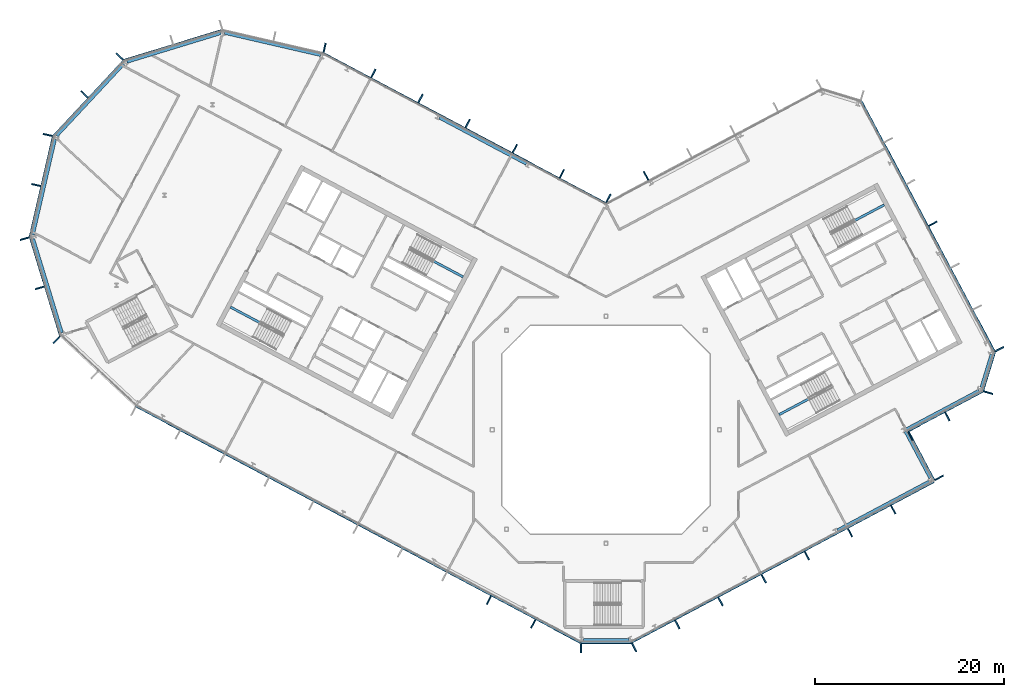
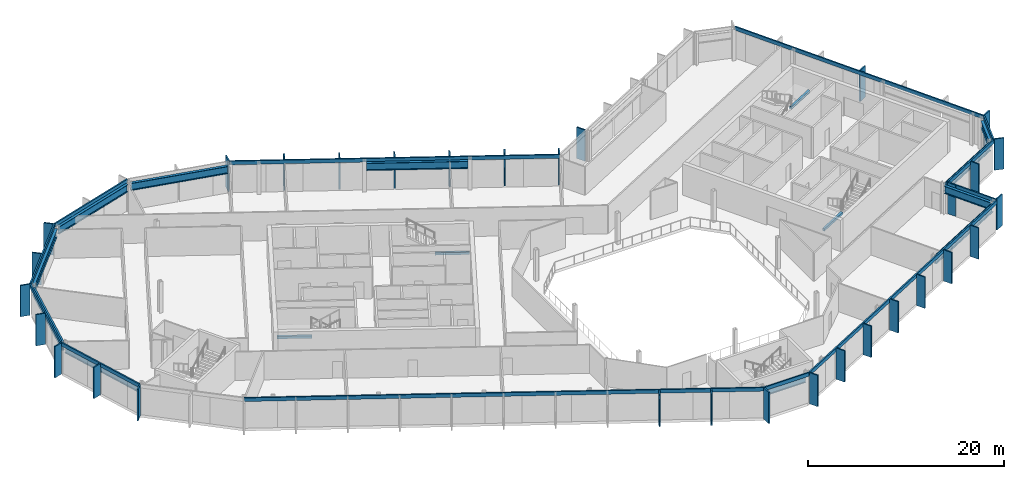
# One storey, part 9 of 25: 43 members, 15 beams, 15 elements without a shape of their own.
"""IFC4 building model written with IfcOpenShell, lengths in metres."""

from ifc_helpers import new_model, si_unit, direction, frame, origin, origin_2d, place, context, subcontext, project, spatial, rectangle, i_section, extrude, material, layer, layer_set, material_profile, profile_set, type_object, element, aggregate, save


model = new_model("IFC4")

# Units and contexts
model_context = context("Model", 3, precision=1e-05, world=origin(), true_north=direction((0.0, 1.0)))
body_context = subcontext(model_context, "Body", "Model", "MODEL_VIEW")
ifc_project = project(units=[si_unit("LENGTHUNIT", "METRE"), si_unit("AREAUNIT", "SQUARE_METRE"), si_unit("VOLUMEUNIT", "CUBIC_METRE"), si_unit("PLANEANGLEUNIT", "RADIAN"), si_unit("MASSUNIT", "GRAM", prefix="KILO")], contexts=[model_context])

# Site, building, storey
site_placement = place(None, origin())
site = spatial("IfcSite", under=ifc_project, at=site_placement, CompositionType="ELEMENT")
building_placement = place(site_placement, origin())
building = spatial("IfcBuilding", under=site, at=building_placement, Name="Cormorant Relay Tower", CompositionType="ELEMENT")
storey_placement = place(building_placement, frame((0.0, 0.0, 265.800048828125)))
storey = spatial("IfcBuildingStorey", under=building, at=storey_placement, Name="L59", CompositionType="ELEMENT", Elevation=265.800048828125)

# Curtain wall, member
ifc_material_1 = material(Name="Aluminium 6063-T6 anodised bronze", Category="aluminium")
ifc_layer = layer(ifc_material_1, 0.199951171875)
ifc_layer_set = layer_set([ifc_layer], Name="CW1 unitised bronze curtain wall with vertical fins")
curtain_wall_type = type_object("IfcCurtainWallType", Name="CW1 unitised bronze curtain wall with vertical fins", PredefinedType="NOTDEFINED", material=ifc_layer_set)
curtain_wall_1_placement = place(storey_placement, origin())
curtain_wall_1 = element("IfcCurtainWall", 1, at=curtain_wall_1_placement, inside=storey, type_object=curtain_wall_type, Name="CW1 curtain wall 1", PredefinedType="NOTDEFINED")
ifc_material_2 = material(Name="Aluminium 6063-T6 anodised bronze", Category="aluminium")
ifc_material_profile_1 = material_profile(ifc_material_2, rectangle(XDim=0.14990234375, YDim=1.0, at=origin_2d()), Name="AL 150x1000")
ifc_profile_set_1 = profile_set([ifc_material_profile_1], Name="Aluminium 6063-T6 anodised bronze")
member_type_1 = type_object("IfcMemberType", Name="CW1 bronze fin mullion 150 x 1000", PredefinedType="MULLION", material=ifc_profile_set_1)
member_1_placement = place(storey_placement, frame((-2.648681640625, -23.07568359375, 0.0), z_axis=(0.0, 0.0, 1.0), x_axis=(1.0, 0.0, 0.0)))
member_1 = element("IfcMember", 2, at=member_1_placement, type_object=member_type_1, Name="CW1 fin 1.1", PredefinedType="MULLION", context=body_context, shape_type="SweptSolid", body=[
    extrude(rectangle(XDim=0.14990234375, YDim=1.0, at=origin_2d()), origin(), (0.0, 0.0, 1.0), 3.89990234375),
])

# Curtain wall, members
curtain_wall_2_placement = place(storey_placement, origin())
curtain_wall_2 = element("IfcCurtainWall", 3, at=curtain_wall_2_placement, inside=storey, type_object=curtain_wall_type, Name="CW1 curtain wall 2", PredefinedType="NOTDEFINED")
member_2_placement = place(storey_placement, frame((2.9775390625, -22.99365234375, 0.0), z_axis=(0.0, 0.0, 1.0), x_axis=(0.882947592859, 0.469471562786, 0.0)))
member_2 = element("IfcMember", 4, at=member_2_placement, type_object=member_type_1, Name="CW1 fin 2.1", PredefinedType="MULLION", context=body_context, shape_type="SweptSolid", body=[
    extrude(rectangle(XDim=0.14990234375, YDim=1.0, at=origin_2d()), origin(), (0.0, 0.0, 1.0), 3.89990234375),
])
member_3_placement = place(storey_placement, frame((7.539306640625, -20.568115234375, 0.0), z_axis=(0.0, 0.0, 1.0), x_axis=(0.882947592859, 0.469471562786, 0.0)))
member_3 = element("IfcMember", 5, at=member_3_placement, type_object=member_type_1, Name="CW1 fin 2.2", PredefinedType="MULLION", context=body_context, shape_type="SweptSolid", body=[
    extrude(rectangle(XDim=0.14990234375, YDim=1.0, at=origin_2d()), origin(), (0.0, 0.0, 1.0), 3.89990234375),
])
member_4_placement = place(storey_placement, frame((12.10107421875, -18.142578125, 0.0), z_axis=(0.0, 0.0, 1.0), x_axis=(0.882947592859, 0.469471562786, 0.0)))
member_4 = element("IfcMember", 6, at=member_4_placement, type_object=member_type_1, Name="CW1 fin 2.3", PredefinedType="MULLION", context=body_context, shape_type="SweptSolid", body=[
    extrude(rectangle(XDim=0.14990234375, YDim=1.0, at=origin_2d()), origin(), (0.0, 0.0, 1.0), 3.89990234375),
])
member_5_placement = place(storey_placement, frame((16.662841796875, -15.717041015625, 0.0), z_axis=(0.0, 0.0, 1.0), x_axis=(0.882947592859, 0.469471562786, 0.0)))
member_5 = element("IfcMember", 7, at=member_5_placement, type_object=member_type_1, Name="CW1 fin 2.4", PredefinedType="MULLION", context=body_context, shape_type="SweptSolid", body=[
    extrude(rectangle(XDim=0.14990234375, YDim=1.0, at=origin_2d()), origin(), (0.0, 0.0, 1.0), 3.89990234375),
])
member_6_placement = place(storey_placement, frame((21.224609375, -13.29150390625, 0.0), z_axis=(0.0, 0.0, 1.0), x_axis=(0.882947592859, 0.469471562786, 0.0)))
member_6 = element("IfcMember", 8, at=member_6_placement, type_object=member_type_1, Name="CW1 fin 2.5", PredefinedType="MULLION", context=body_context, shape_type="SweptSolid", body=[
    extrude(rectangle(XDim=0.14990234375, YDim=1.0, at=origin_2d()), origin(), (0.0, 0.0, 1.0), 3.89990234375),
])
member_7_placement = place(storey_placement, frame((25.78662109375, -10.865966796875, 0.0), z_axis=(0.0, 0.0, 1.0), x_axis=(0.882947592859, 0.469471562786, 0.0)))
member_7 = element("IfcMember", 9, at=member_7_placement, type_object=member_type_1, Name="CW1 fin 2.6", PredefinedType="MULLION", context=body_context, shape_type="SweptSolid", body=[
    extrude(rectangle(XDim=0.14990234375, YDim=1.0, at=origin_2d()), origin(), (0.0, 0.0, 1.0), 3.89990234375),
])
member_8_placement = place(storey_placement, frame((30.348388671875, -8.440185546875, 0.0), z_axis=(0.0, 0.0, 1.0), x_axis=(0.882947592859, 0.469471562786, 0.0)))
member_8 = element("IfcMember", 10, at=member_8_placement, type_object=member_type_1, Name="CW1 fin 2.7", PredefinedType="MULLION", context=body_context, shape_type="SweptSolid", body=[
    extrude(rectangle(XDim=0.14990234375, YDim=1.0, at=origin_2d()), origin(), (0.0, 0.0, 1.0), 3.89990234375),
])

# Curtain wall, member
curtain_wall_3_placement = place(storey_placement, origin())
curtain_wall_3 = element("IfcCurtainWall", 11, at=curtain_wall_3_placement, inside=storey, type_object=curtain_wall_type, Name="CW1 curtain wall 3", PredefinedType="NOTDEFINED")
member_9_placement = place(storey_placement, frame((35.199462890625, -5.068115234375, 0.0), z_axis=(0.0, 0.0, 1.0), x_axis=(-0.469471562786, 0.882947592859, 0.0)))
member_9 = element("IfcMember", 12, at=member_9_placement, type_object=member_type_1, Name="CW1 fin 3.1", PredefinedType="MULLION", context=body_context, shape_type="SweptSolid", body=[
    extrude(rectangle(XDim=0.14990234375, YDim=1.0, at=origin_2d()), origin(), (0.0, 0.0, 1.0), 3.89990234375),
])

# Curtain wall, members
curtain_wall_4_placement = place(storey_placement, origin())
curtain_wall_4 = element("IfcCurtainWall", 13, at=curtain_wall_4_placement, inside=storey, type_object=curtain_wall_type, Name="CW1 curtain wall 4", PredefinedType="NOTDEFINED")
member_10_placement = place(storey_placement, frame((32.159423828125, -0.681884765625, 0.0), z_axis=(0.0, 0.0, 1.0), x_axis=(0.882947592859, 0.469471562786, 0.0)))
member_10 = element("IfcMember", 14, at=member_10_placement, type_object=member_type_1, Name="CW1 fin 4.1", PredefinedType="MULLION", context=body_context, shape_type="SweptSolid", body=[
    extrude(rectangle(XDim=0.14990234375, YDim=1.0, at=origin_2d()), origin(), (0.0, 0.0, 1.0), 3.89990234375),
])
member_11_placement = place(storey_placement, frame((36.06640625, 1.3955078125, 0.0), z_axis=(0.0, 0.0, 1.0), x_axis=(0.882947592859, 0.469471562786, 0.0)))
member_11 = element("IfcMember", 15, at=member_11_placement, type_object=member_type_1, Name="CW1 fin 4.2", PredefinedType="MULLION", context=body_context, shape_type="SweptSolid", body=[
    extrude(rectangle(XDim=0.14990234375, YDim=1.0, at=origin_2d()), origin(), (0.0, 0.0, 1.0), 3.89990234375),
])

# Curtain wall, member
curtain_wall_5_placement = place(storey_placement, origin())
curtain_wall_5 = element("IfcCurtainWall", 16, at=curtain_wall_5_placement, inside=storey, type_object=curtain_wall_type, Name="CW1 curtain wall 5", PredefinedType="NOTDEFINED")
member_12_placement = place(storey_placement, frame((40.380615234375, 3.921630859375, 0.0), z_axis=(0.0, 0.0, 1.0), x_axis=(0.292371704723, 0.956304755963, 0.0)))
member_12 = element("IfcMember", 17, at=member_12_placement, type_object=member_type_1, Name="CW1 fin 5.1", PredefinedType="MULLION", context=body_context, shape_type="SweptSolid", body=[
    extrude(rectangle(XDim=0.14990234375, YDim=1.0, at=origin_2d()), origin(), (0.0, 0.0, 1.0), 3.89990234375),
])

# Curtain wall, members
curtain_wall_6_placement = place(storey_placement, origin())
curtain_wall_6 = element("IfcCurtainWall", 18, at=curtain_wall_6_placement, inside=storey, type_object=curtain_wall_type, Name="CW1 curtain wall 6", PredefinedType="NOTDEFINED")
member_13_placement = place(storey_placement, frame((41.569580078125, 8.51220703125, 0.0), z_axis=(0.0, 0.0, 1.0), x_axis=(-0.469471562786, 0.882947592859, 0.0)))
member_13 = element("IfcMember", 19, at=member_13_placement, type_object=member_type_1, Name="CW1 fin 6.1", PredefinedType="MULLION", context=body_context, shape_type="SweptSolid", body=[
    extrude(rectangle(XDim=0.14990234375, YDim=1.0, at=origin_2d()), origin(), (0.0, 0.0, 1.0), 3.89990234375),
])
member_14_placement = place(storey_placement, frame((34.527587890625, 21.75634765625, 0.0), z_axis=(0.0, 0.0, 1.0), x_axis=(-0.469471562786, 0.882947592859, 0.0)))
member_14 = element("IfcMember", 20, at=member_14_placement, type_object=member_type_1, Name="CW1 fin 6.4", PredefinedType="MULLION", context=body_context, shape_type="SweptSolid", body=[
    extrude(rectangle(XDim=0.14990234375, YDim=1.0, at=origin_2d()), origin(), (0.0, 0.0, 1.0), 3.89990234375),
])

# Curtain wall, member
curtain_wall_7_placement = place(storey_placement, origin())
curtain_wall_7 = element("IfcCurtainWall", 21, at=curtain_wall_7_placement, inside=storey, type_object=curtain_wall_type, Name="CW1 curtain wall 8", PredefinedType="NOTDEFINED")
member_15_placement = place(storey_placement, frame((4.2333984375, 26.82763671875, 0.0), z_axis=(0.0, 0.0, 1.0), x_axis=(-0.882947592859, -0.469471562786, 0.0)))
member_15 = element("IfcMember", 22, at=member_15_placement, type_object=member_type_1, Name="CW1 fin 8.5", PredefinedType="MULLION", context=body_context, shape_type="SweptSolid", body=[
    extrude(rectangle(XDim=0.14990234375, YDim=1.0, at=origin_2d()), origin(), (0.0, 0.0, 1.0), 3.89990234375),
])
aggregate(curtain_wall_7, [member_15])

# Curtain wall, members
curtain_wall_8_placement = place(storey_placement, origin())
curtain_wall_8 = element("IfcCurtainWall", 23, at=curtain_wall_8_placement, inside=storey, type_object=curtain_wall_type, Name="CW1 curtain wall 9", PredefinedType="NOTDEFINED")
member_16_placement = place(storey_placement, frame((0.262451171875, 24.437255859375, 0.0), z_axis=(0.0, 0.0, 1.0), x_axis=(-0.882947592859, 0.469471562786, 0.0)))
member_16 = element("IfcMember", 24, at=member_16_placement, type_object=member_type_1, Name="CW1 fin 9.1", PredefinedType="MULLION", context=body_context, shape_type="SweptSolid", body=[
    extrude(rectangle(XDim=0.14990234375, YDim=1.0, at=origin_2d()), origin(), (0.0, 0.0, 1.0), 3.89990234375),
])
member_17_placement = place(storey_placement, frame((-4.650390625, 27.04931640625, 0.0), z_axis=(0.0, 0.0, 1.0), x_axis=(-0.882947592859, 0.469471562786, 0.0)))
member_17 = element("IfcMember", 25, at=member_17_placement, type_object=member_type_1, Name="CW1 fin 9.2", PredefinedType="MULLION", context=body_context, shape_type="SweptSolid", body=[
    extrude(rectangle(XDim=0.14990234375, YDim=1.0, at=origin_2d()), origin(), (0.0, 0.0, 1.0), 3.89990234375),
])
member_18_placement = place(storey_placement, frame((-9.62939453125, 29.69677734375, 0.0), z_axis=(0.0, 0.0, 1.0), x_axis=(-0.882947592859, 0.469471562786, 0.0)))
member_18 = element("IfcMember", 26, at=member_18_placement, type_object=member_type_1, Name="CW1 fin 9.3", PredefinedType="MULLION", context=body_context, shape_type="SweptSolid", body=[
    extrude(rectangle(XDim=0.14990234375, YDim=1.0, at=origin_2d()), origin(), (0.0, 0.0, 1.0), 3.89990234375),
])
member_19_placement = place(storey_placement, frame((-14.608154296875, 32.343994140625, 0.0), z_axis=(0.0, 0.0, 1.0), x_axis=(-0.882947592859, 0.469471562786, 0.0)))
member_19 = element("IfcMember", 27, at=member_19_placement, type_object=member_type_1, Name="CW1 fin 9.4", PredefinedType="MULLION", context=body_context, shape_type="SweptSolid", body=[
    extrude(rectangle(XDim=0.14990234375, YDim=1.0, at=origin_2d()), origin(), (0.0, 0.0, 1.0), 3.89990234375),
])
member_20_placement = place(storey_placement, frame((-19.587158203125, 34.991455078125, 0.0), z_axis=(0.0, 0.0, 1.0), x_axis=(-0.882947592859, 0.469471562786, 0.0)))
member_20 = element("IfcMember", 28, at=member_20_placement, type_object=member_type_1, Name="CW1 fin 9.5", PredefinedType="MULLION", context=body_context, shape_type="SweptSolid", body=[
    extrude(rectangle(XDim=0.14990234375, YDim=1.0, at=origin_2d()), origin(), (0.0, 0.0, 1.0), 3.89990234375),
])
member_21_placement = place(storey_placement, frame((-24.566162109375, 37.638916015625, 0.0), z_axis=(0.0, 0.0, 1.0), x_axis=(-0.882947592859, 0.469471562786, 0.0)))
member_21 = element("IfcMember", 29, at=member_21_placement, type_object=member_type_1, Name="CW1 fin 9.6", PredefinedType="MULLION", context=body_context, shape_type="SweptSolid", body=[
    extrude(rectangle(XDim=0.14990234375, YDim=1.0, at=origin_2d()), origin(), (0.0, 0.0, 1.0), 3.89990234375),
])

# Curtain wall, member
curtain_wall_9_placement = place(storey_placement, origin())
curtain_wall_9 = element("IfcCurtainWall", 30, at=curtain_wall_9_placement, inside=storey, type_object=curtain_wall_type, Name="CW1 curtain wall 10", PredefinedType="NOTDEFINED")
member_22_placement = place(storey_placement, frame((-29.71630859375, 40.35009765625, 0.0), z_axis=(0.0, 0.0, 1.0), x_axis=(-0.974370064785, 0.224951054344, 0.0)))
member_22 = element("IfcMember", 31, at=member_22_placement, type_object=member_type_1, Name="CW1 fin 10.1", PredefinedType="MULLION", context=body_context, shape_type="SweptSolid", body=[
    extrude(rectangle(XDim=0.14990234375, YDim=1.0, at=origin_2d()), origin(), (0.0, 0.0, 1.0), 3.89990234375),
])
aggregate(curtain_wall_9, [member_22])

# Curtain wall, members
curtain_wall_10_placement = place(storey_placement, origin())
curtain_wall_10 = element("IfcCurtainWall", 32, at=curtain_wall_10_placement, inside=storey, type_object=curtain_wall_type, Name="CW1 curtain wall 12", PredefinedType="NOTDEFINED")
member_23_placement = place(storey_placement, frame((-51.372802734375, 39.41259765625, 0.0), z_axis=(0.0, 0.0, 1.0), x_axis=(-0.681998360062, -0.731353701619, 0.0)))
member_23 = element("IfcMember", 33, at=member_23_placement, type_object=member_type_1, Name="CW1 fin 12.1", PredefinedType="MULLION", context=body_context, shape_type="SweptSolid", body=[
    extrude(rectangle(XDim=0.14990234375, YDim=1.0, at=origin_2d()), origin(), (0.0, 0.0, 1.0), 3.89990234375),
])
member_24_placement = place(storey_placement, frame((-55.07958984375, 35.4375, 0.0), z_axis=(0.0, 0.0, 1.0), x_axis=(-0.681998360062, -0.731353701619, 0.0)))
member_24 = element("IfcMember", 34, at=member_24_placement, type_object=member_type_1, Name="CW1 fin 12.2", PredefinedType="MULLION", context=body_context, shape_type="SweptSolid", body=[
    extrude(rectangle(XDim=0.14990234375, YDim=1.0, at=origin_2d()), origin(), (0.0, 0.0, 1.0), 3.89990234375),
])

curtain_wall_11_placement = place(storey_placement, origin())
curtain_wall_11 = element("IfcCurtainWall", 35, at=curtain_wall_11_placement, inside=storey, type_object=curtain_wall_type, Name="CW1 curtain wall 13", PredefinedType="NOTDEFINED")
member_25_placement = place(storey_placement, frame((-58.95654296875, 31.142578125, 0.0), z_axis=(0.0, 0.0, 1.0), x_axis=(-0.224951054344, -0.974370064785, 0.0)))
member_25 = element("IfcMember", 36, at=member_25_placement, type_object=member_type_1, Name="CW1 fin 13.1", PredefinedType="MULLION", context=body_context, shape_type="SweptSolid", body=[
    extrude(rectangle(XDim=0.14990234375, YDim=1.0, at=origin_2d()), origin(), (0.0, 0.0, 1.0), 3.89990234375),
])
member_26_placement = place(storey_placement, frame((-60.17919921875, 25.8466796875, 0.0), z_axis=(0.0, 0.0, 1.0), x_axis=(-0.224951054344, -0.974370064785, 0.0)))
member_26 = element("IfcMember", 37, at=member_26_placement, type_object=member_type_1, Name="CW1 fin 13.2", PredefinedType="MULLION", context=body_context, shape_type="SweptSolid", body=[
    extrude(rectangle(XDim=0.14990234375, YDim=1.0, at=origin_2d()), origin(), (0.0, 0.0, 1.0), 3.89990234375),
])

curtain_wall_12_placement = place(storey_placement, origin())
curtain_wall_12 = element("IfcCurtainWall", 38, at=curtain_wall_12_placement, inside=storey, type_object=curtain_wall_type, Name="CW1 curtain wall 14", PredefinedType="NOTDEFINED")
member_27_placement = place(storey_placement, frame((-61.389404296875, 20.188720703125, 0.0), z_axis=(0.0, 0.0, 1.0), x_axis=(0.292371704723, -0.956304755963, 0.0)))
member_27 = element("IfcMember", 39, at=member_27_placement, type_object=member_type_1, Name="CW1 fin 14.1", PredefinedType="MULLION", context=body_context, shape_type="SweptSolid", body=[
    extrude(rectangle(XDim=0.14990234375, YDim=1.0, at=origin_2d()), origin(), (0.0, 0.0, 1.0), 3.89990234375),
])
member_28_placement = place(storey_placement, frame((-59.80029296875, 14.990966796875, 0.0), z_axis=(0.0, 0.0, 1.0), x_axis=(0.292371704723, -0.956304755963, 0.0)))
member_28 = element("IfcMember", 40, at=member_28_placement, type_object=member_type_1, Name="CW1 fin 14.2", PredefinedType="MULLION", context=body_context, shape_type="SweptSolid", body=[
    extrude(rectangle(XDim=0.14990234375, YDim=1.0, at=origin_2d()), origin(), (0.0, 0.0, 1.0), 3.89990234375),
])

# Curtain wall, member
curtain_wall_13_placement = place(storey_placement, origin())
curtain_wall_13 = element("IfcCurtainWall", 41, at=curtain_wall_13_placement, inside=storey, type_object=curtain_wall_type, Name="CW1 curtain wall 15", PredefinedType="NOTDEFINED")
member_29_placement = place(storey_placement, frame((-58.01904296875, 9.486083984375, 0.0), z_axis=(0.0, 0.0, 1.0), x_axis=(0.731353701619, -0.681998360062, 0.0)))
member_29 = element("IfcMember", 42, at=member_29_placement, type_object=member_type_1, Name="CW1 fin 15.1", PredefinedType="MULLION", context=body_context, shape_type="SweptSolid", body=[
    extrude(rectangle(XDim=0.14990234375, YDim=1.0, at=origin_2d()), origin(), (0.0, 0.0, 1.0), 3.89990234375),
])
aggregate(curtain_wall_13, [member_29])

# Curtain wall, members
curtain_wall_14_placement = place(storey_placement, origin())
curtain_wall_14 = element("IfcCurtainWall", 43, at=curtain_wall_14_placement, inside=storey, type_object=curtain_wall_type, Name="CW1 curtain wall 16", PredefinedType="NOTDEFINED")
member_30_placement = place(storey_placement, frame((-12.365966796875, -18.001708984375, 0.0), z_axis=(0.0, 0.0, 1.0), x_axis=(0.882947592859, -0.469471562786, 0.0)))
member_30 = element("IfcMember", 44, at=member_30_placement, type_object=member_type_1, Name="CW1 fin 16.9", PredefinedType="MULLION", context=body_context, shape_type="SweptSolid", body=[
    extrude(rectangle(XDim=0.14990234375, YDim=1.0, at=origin_2d()), origin(), (0.0, 0.0, 1.0), 3.89990234375),
])
member_31_placement = place(storey_placement, frame((-7.671630859375, -20.49755859375, 0.0), z_axis=(0.0, 0.0, 1.0), x_axis=(0.882947592859, -0.469471562786, 0.0)))
member_31 = element("IfcMember", 45, at=member_31_placement, type_object=member_type_1, Name="CW1 fin 16.10", PredefinedType="MULLION", context=body_context, shape_type="SweptSolid", body=[
    extrude(rectangle(XDim=0.14990234375, YDim=1.0, at=origin_2d()), origin(), (0.0, 0.0, 1.0), 3.89990234375),
])

# Member
ifc_material_3 = material(Name="Aluminium 6063-T6 anodised bronze", Category="aluminium")
ifc_material_profile_2 = material_profile(ifc_material_3, rectangle(XDim=0.159912109375, YDim=0.449951171875, at=origin_2d()), Name="AL 160x450")
ifc_profile_set_2 = profile_set([ifc_material_profile_2], Name="Aluminium 6063-T6 anodised bronze")
member_type_2 = type_object("IfcMemberType", Name="CW1 bronze transom 160 x 450", PredefinedType="USERDEFINED", material=ifc_profile_set_2)
member_32_placement = place(storey_placement, frame((-2.648681640625, -22.49560546875, 3.675048828125), z_axis=(1.0, 0.0, 0.0), x_axis=(0.0, 1.0, 0.0)))
member_32 = element("IfcMember", 46, at=member_32_placement, type_object=member_type_2, Name="CW1 transom 1", ObjectType="TRANSOM", PredefinedType="USERDEFINED", context=body_context, shape_type="SweptSolid", body=[
    extrude(rectangle(XDim=0.159912109375, YDim=0.449951171875, at=origin_2d()), origin(), (0.0, 0.0, 1.0), 5.29736328125),
])

aggregate(curtain_wall_1, [member_1, member_32])

member_33_placement = place(storey_placement, frame((2.705078125, -22.4814453125, 3.675048828125), z_axis=(0.882948899141, 0.469469106018, 0.0), x_axis=(-0.469469106018, 0.882948899141, 0.0)))
member_33 = element("IfcMember", 47, at=member_33_placement, type_object=member_type_2, Name="CW1 transom 2", ObjectType="TRANSOM", PredefinedType="USERDEFINED", context=body_context, shape_type="SweptSolid", body=[
    extrude(rectangle(XDim=0.159912109375, YDim=0.449951171875, at=origin_2d()), origin(), (0.0, 0.0, 1.0), 36.165771484375),
])

aggregate(curtain_wall_2, [member_2, member_3, member_4, member_5, member_6, member_7, member_8, member_33])

member_34_placement = place(storey_placement, frame((34.6875, -5.34033203125, 3.675048828125), z_axis=(-0.469485426614, 0.882940221191, 0.0), x_axis=(-0.882940221191, -0.469485426614, 0.0)))
member_34 = element("IfcMember", 48, at=member_34_placement, type_object=member_type_2, Name="CW1 transom 3", ObjectType="TRANSOM", PredefinedType="USERDEFINED", context=body_context, shape_type="SweptSolid", body=[
    extrude(rectangle(XDim=0.159912109375, YDim=0.449951171875, at=origin_2d()), origin(), (0.0, 0.0, 1.0), 6.0),
])

aggregate(curtain_wall_3, [member_9, member_34])

member_35_placement = place(storey_placement, frame((31.82080078125, -0.205078125, 3.675048828125), z_axis=(0.882949189538, 0.469468559857, 0.0), x_axis=(-0.469468559857, 0.882949189538, 0.0)))
member_35 = element("IfcMember", 49, at=member_35_placement, type_object=member_type_2, Name="CW1 transom 4", ObjectType="TRANSOM", PredefinedType="USERDEFINED", context=body_context, shape_type="SweptSolid", body=[
    extrude(rectangle(XDim=0.159912109375, YDim=0.449951171875, at=origin_2d()), origin(), (0.0, 0.0, 1.0), 9.000244140625),
])

aggregate(curtain_wall_4, [member_10, member_11, member_35])

member_36_placement = place(storey_placement, frame((39.825927734375, 4.091064453125, 3.675048828125), z_axis=(0.292374957137, 0.956303761594, 0.0), x_axis=(-0.956303761594, 0.292374957137, 0.0)))
member_36 = element("IfcMember", 50, at=member_36_placement, type_object=member_type_2, Name="CW1 transom 5", ObjectType="TRANSOM", PredefinedType="USERDEFINED", context=body_context, shape_type="SweptSolid", body=[
    extrude(rectangle(XDim=0.159912109375, YDim=0.449951171875, at=origin_2d()), origin(), (0.0, 0.0, 1.0), 4.24267578125),
])

aggregate(curtain_wall_5, [member_12, member_36])

member_37_placement = place(storey_placement, frame((41.0576171875, 8.23974609375, 3.675048828125), z_axis=(-0.469472335483, 0.882947182008, 0.0), x_axis=(-0.882947182008, -0.469472335483, 0.0)))
member_37 = element("IfcMember", 51, at=member_37_placement, type_object=member_type_2, Name="CW1 transom 6", ObjectType="TRANSOM", PredefinedType="USERDEFINED", context=body_context, shape_type="SweptSolid", body=[
    extrude(rectangle(XDim=0.159912109375, YDim=0.449951171875, at=origin_2d()), origin(), (0.0, 0.0, 1.0), 30.000244140625),
])

aggregate(curtain_wall_6, [member_13, member_14, member_37])

member_38_placement = place(storey_placement, frame((0.056396484375, 23.889892578125, 3.675048828125), z_axis=(-0.882946280328, 0.46947403129, 0.0), x_axis=(-0.46947403129, -0.882946280328, 0.0)))
member_38 = element("IfcMember", 52, at=member_38_placement, type_object=member_type_2, Name="CW1 transom 9", ObjectType="TRANSOM", PredefinedType="USERDEFINED", context=body_context, shape_type="SweptSolid", body=[
    extrude(rectangle(XDim=0.159912109375, YDim=0.449951171875, at=origin_2d()), origin(), (0.0, 0.0, 1.0), 33.834228515625),
])

aggregate(curtain_wall_8, [member_16, member_17, member_18, member_19, member_20, member_21, member_38])

# Curtain wall, member
curtain_wall_15_placement = place(storey_placement, origin())
curtain_wall_15 = element("IfcCurtainWall", 53, at=curtain_wall_15_placement, inside=storey, type_object=curtain_wall_type, Name="CW1 curtain wall 11", PredefinedType="NOTDEFINED")
member_39_placement = place(storey_placement, frame((-40.50048828125, 42.228271484375, 3.675048828125), z_axis=(-0.956304833932, -0.292371449698, 0.0), x_axis=(0.292371449698, -0.956304833932, 0.0)))
member_39 = element("IfcMember", 54, at=member_39_placement, type_object=member_type_2, Name="CW1 transom 11", ObjectType="TRANSOM", PredefinedType="USERDEFINED", context=body_context, shape_type="SweptSolid", body=[
    extrude(rectangle(XDim=0.159912109375, YDim=0.449951171875, at=origin_2d()), origin(), (0.0, 0.0, 1.0), 10.87060546875),
])
aggregate(curtain_wall_15, [member_39])

# Member
member_40_placement = place(storey_placement, frame((-50.94873046875, 39.01708984375, 3.675048828125), z_axis=(-0.681993299437, -0.731358420696, 0.0), x_axis=(0.731358420696, -0.681993299437, 0.0)))
member_40 = element("IfcMember", 55, at=member_40_placement, type_object=member_type_2, Name="CW1 transom 12", ObjectType="TRANSOM", PredefinedType="USERDEFINED", context=body_context, shape_type="SweptSolid", body=[
    extrude(rectangle(XDim=0.159912109375, YDim=0.449951171875, at=origin_2d()), origin(), (0.0, 0.0, 1.0), 10.870361328125),
])

aggregate(curtain_wall_10, [member_23, member_24, member_40])

member_41_placement = place(storey_placement, frame((-58.3916015625, 31.01220703125, 3.675048828125), z_axis=(-0.22495136131, -0.974369993916, 0.0), x_axis=(0.974369993916, -0.22495136131, 0.0)))
member_41 = element("IfcMember", 56, at=member_41_placement, type_object=member_type_2, Name="CW1 transom 13", ObjectType="TRANSOM", PredefinedType="USERDEFINED", context=body_context, shape_type="SweptSolid", body=[
    extrude(rectangle(XDim=0.159912109375, YDim=0.449951171875, at=origin_2d()), origin(), (0.0, 0.0, 1.0), 10.870361328125),
])

aggregate(curtain_wall_11, [member_25, member_26, member_41])

member_42_placement = place(storey_placement, frame((-60.834716796875, 20.358154296875, 3.675048828125), z_axis=(0.292377729282, -0.95630291405, 0.0), x_axis=(0.95630291405, 0.292377729282, 0.0)))
member_42 = element("IfcMember", 57, at=member_42_placement, type_object=member_type_2, Name="CW1 transom 14", ObjectType="TRANSOM", PredefinedType="USERDEFINED", context=body_context, shape_type="SweptSolid", body=[
    extrude(rectangle(XDim=0.159912109375, YDim=0.449951171875, at=origin_2d()), origin(), (0.0, 0.0, 1.0), 10.870361328125),
])

aggregate(curtain_wall_12, [member_27, member_28, member_42])

member_43_placement = place(storey_placement, frame((-49.64794921875, 2.478515625, 3.675048828125), z_axis=(0.882947642542, -0.469471469346, 0.0), x_axis=(0.469471469346, 0.882947642542, 0.0)))
member_43 = element("IfcMember", 58, at=member_43_placement, type_object=member_type_2, Name="CW1 transom 16", ObjectType="TRANSOM", PredefinedType="USERDEFINED", context=body_context, shape_type="SweptSolid", body=[
    extrude(rectangle(XDim=0.159912109375, YDim=0.449951171875, at=origin_2d()), origin(), (0.0, 0.0, 1.0), 53.166015625),
])

aggregate(curtain_wall_14, [member_30, member_31, member_43])

# Beams
ifc_material_4 = material(Name="Steel ASTM A992 (Fy 345 MPa)", Category="steel")
ifc_material_profile_3 = material_profile(ifc_material_4, i_section(OverallWidth=0.307373046875, OverallDepth=0.927001953125, WebThickness=0.019287109375, FlangeThickness=0.031982421875, FilletRadius=0.01904296875, at=origin_2d()), Name="W920x289")
ifc_profile_set_3 = profile_set([ifc_material_profile_3], Name="Steel ASTM A992 (Fy 345 MPa)")
beam_type_1 = type_object("IfcBeamType", Name="Spandrel W920x289", PredefinedType="SPANDREL", material=ifc_profile_set_3)
beam_1_placement = place(storey_placement, frame((-2.377197265625, -22.221923828125, 3.076416015625), z_axis=(1.0, 0.0, 0.0), x_axis=(0.0, 1.0, 0.0)))
element("IfcBeam", 59, at=beam_1_placement, inside=storey, type_object=beam_type_1, Name="Spandrel beam L59-001", PredefinedType="SPANDREL", context=body_context, shape_type="SweptSolid", body=[
    extrude(i_section(OverallWidth=0.307373046875, OverallDepth=0.927001953125, WebThickness=0.019287109375, FlangeThickness=0.031982421875, FilletRadius=0.01904296875, at=origin_2d()), origin(), (0.0, 0.0, 1.0), 4.79541015625),
])
beam_2_placement = place(storey_placement, frame((24.44287109375, -10.61328125, 3.076416015625), z_axis=(0.882957797597, 0.469452369961, 0.0), x_axis=(-0.469452369961, 0.882957797597, 0.0)))
element("IfcBeam", 60, at=beam_2_placement, inside=storey, type_object=beam_type_1, Name="Spandrel beam L59-002", PredefinedType="SPANDREL", context=body_context, shape_type="SweptSolid", body=[
    extrude(i_section(OverallWidth=0.307373046875, OverallDepth=0.927001953125, WebThickness=0.019287109375, FlangeThickness=0.031982421875, FilletRadius=0.01904296875, at=origin_2d()), origin(), (0.0, 0.0, 1.0), 10.992431640625),
])
beam_3_placement = place(storey_placement, frame((34.254638671875, -5.109619140625, 3.076416015625), z_axis=(-0.469457325339, 0.882955162897, 0.0), x_axis=(-0.882955162897, -0.469457325339, 0.0)))
element("IfcBeam", 61, at=beam_3_placement, inside=storey, type_object=beam_type_1, Name="Spandrel beam L59-003", PredefinedType="SPANDREL", context=body_context, shape_type="SweptSolid", body=[
    extrude(i_section(OverallWidth=0.307373046875, OverallDepth=0.927001953125, WebThickness=0.019287109375, FlangeThickness=0.031982421875, FilletRadius=0.01904296875, at=origin_2d()), origin(), (0.0, 0.0, 1.0), 5.593017578125),
])
beam_4_placement = place(storey_placement, frame((31.6923828125, 0.03662109375, 3.076416015625), z_axis=(0.882943393008, 0.469479461472, 0.0), x_axis=(-0.469479461472, 0.882943393008, 0.0)))
element("IfcBeam", 62, at=beam_4_placement, inside=storey, type_object=beam_type_1, Name="Spandrel beam L59-004", PredefinedType="SPANDREL", context=body_context, shape_type="SweptSolid", body=[
    extrude(i_section(OverallWidth=0.307373046875, OverallDepth=0.927001953125, WebThickness=0.019287109375, FlangeThickness=0.031982421875, FilletRadius=0.01904296875, at=origin_2d()), origin(), (0.0, 0.0, 1.0), 8.734375),
])
beam_5_placement = place(storey_placement, frame((39.6591796875, 4.4814453125, 3.076416015625), z_axis=(0.292323829151, 0.956319391684, 0.0), x_axis=(-0.956319391684, 0.292323829151, 0.0)))
element("IfcBeam", 63, at=beam_5_placement, inside=storey, type_object=beam_type_1, Name="Spandrel beam L59-005", PredefinedType="SPANDREL", context=body_context, shape_type="SweptSolid", body=[
    extrude(i_section(OverallWidth=0.307373046875, OverallDepth=0.927001953125, WebThickness=0.019287109375, FlangeThickness=0.031982421875, FilletRadius=0.01904296875, at=origin_2d()), origin(), (0.0, 0.0, 1.0), 3.652099609375),
])
beam_6_placement = place(storey_placement, frame((-8.401611328125, 28.0771484375, 3.076416015625), z_axis=(-0.882945471565, 0.469475552338, 0.0), x_axis=(-0.469475552338, -0.882945471565, 0.0)))
element("IfcBeam", 64, at=beam_6_placement, inside=storey, type_object=beam_type_1, Name="Spandrel beam L59-009", PredefinedType="SPANDREL", context=body_context, shape_type="SweptSolid", body=[
    extrude(i_section(OverallWidth=0.307373046875, OverallDepth=0.927001953125, WebThickness=0.019287109375, FlangeThickness=0.031982421875, FilletRadius=0.01904296875, at=origin_2d()), origin(), (0.0, 0.0, 1.0), 10.401123046875),
])
beam_7_placement = place(storey_placement, frame((-30.138427734375, 39.571533203125, 3.076416015625), z_axis=(-0.97437021882, 0.224950387145, 0.0), x_axis=(-0.224950387145, -0.97437021882, 0.0)))
element("IfcBeam", 65, at=beam_7_placement, inside=storey, type_object=beam_type_1, Name="Spandrel beam L59-010", PredefinedType="SPANDREL", context=body_context, shape_type="SweptSolid", body=[
    extrude(i_section(OverallWidth=0.307373046875, OverallDepth=0.927001953125, WebThickness=0.019287109375, FlangeThickness=0.031982421875, FilletRadius=0.01904296875, at=origin_2d()), origin(), (0.0, 0.0, 1.0), 10.3984375),
])
beam_8_placement = place(storey_placement, frame((-40.68505859375, 41.8857421875, 3.076416015625), z_axis=(-0.956304903575, -0.292371221906, 0.0), x_axis=(0.292371221906, -0.956304903575, 0.0)))
element("IfcBeam", 66, at=beam_8_placement, inside=storey, type_object=beam_type_1, Name="Spandrel beam L59-011", PredefinedType="SPANDREL", context=body_context, shape_type="SweptSolid", body=[
    extrude(i_section(OverallWidth=0.307373046875, OverallDepth=0.927001953125, WebThickness=0.019287109375, FlangeThickness=0.031982421875, FilletRadius=0.01904296875, at=origin_2d()), origin(), (0.0, 0.0, 1.0), 10.358642578125),
])
beam_9_placement = place(storey_placement, frame((-50.9375, 38.627685546875, 3.076416015625), z_axis=(-0.682009982741, -0.731342863124, 0.0), x_axis=(0.731342863124, -0.682009982741, 0.0)))
element("IfcBeam", 67, at=beam_9_placement, inside=storey, type_object=beam_type_1, Name="Spandrel beam L59-012", PredefinedType="SPANDREL", context=body_context, shape_type="SweptSolid", body=[
    extrude(i_section(OverallWidth=0.307373046875, OverallDepth=0.927001953125, WebThickness=0.019287109375, FlangeThickness=0.031982421875, FilletRadius=0.01904296875, at=origin_2d()), origin(), (0.0, 0.0, 1.0), 10.35791015625),
])
beam_10_placement = place(storey_placement, frame((-58.18701171875, 30.680908203125, 3.076416015625), z_axis=(-0.224955895786, -0.974368947038, 0.0), x_axis=(0.974368947038, -0.224955895786, 0.0)))
element("IfcBeam", 68, at=beam_10_placement, inside=storey, type_object=beam_type_1, Name="Spandrel beam L59-013", PredefinedType="SPANDREL", context=body_context, shape_type="SweptSolid", body=[
    extrude(i_section(OverallWidth=0.307373046875, OverallDepth=0.927001953125, WebThickness=0.019287109375, FlangeThickness=0.031982421875, FilletRadius=0.01904296875, at=origin_2d()), origin(), (0.0, 0.0, 1.0), 10.359130859375),
])
beam_11_placement = place(storey_placement, frame((-60.49169921875, 20.1728515625, 3.076416015625), z_axis=(0.292367651593, -0.95630599512, 0.0), x_axis=(0.95630599512, 0.292367651593, 0.0)))
element("IfcBeam", 69, at=beam_11_placement, inside=storey, type_object=beam_type_1, Name="Spandrel beam L59-014", PredefinedType="SPANDREL", context=body_context, shape_type="SweptSolid", body=[
    extrude(i_section(OverallWidth=0.307373046875, OverallDepth=0.927001953125, WebThickness=0.019287109375, FlangeThickness=0.031982421875, FilletRadius=0.01904296875, at=origin_2d()), origin(), (0.0, 0.0, 1.0), 10.357177734375),
])
ifc_material_5 = material(Name="Concrete 50 MPa", Category="concrete")
ifc_material_profile_4 = material_profile(ifc_material_5, rectangle(XDim=0.25, YDim=0.300048828125, at=origin_2d()), Name="RC 250x300")
ifc_profile_set_4 = profile_set([ifc_material_profile_4], Name="Concrete 50 MPa")
beam_type_2 = type_object("IfcBeamType", Name="Stair landing ledge beam 250x300", PredefinedType="BEAM", material=ifc_profile_set_4)
beam_12_placement = place(storey_placement, frame((-18.219482421875, 17.813720703125, 1.599853515625), z_axis=(0.882950035608, -0.469466968614, 0.0), x_axis=(0.469466968614, 0.882950035608, 0.0)))
element("IfcBeam", 70, at=beam_12_placement, inside=storey, type_object=beam_type_2, Name="A1 landing ledge beam", PredefinedType="BEAM", context=body_context, shape_type="SweptSolid", body=[
    extrude(rectangle(XDim=0.25, YDim=0.300048828125, at=origin_2d()), origin(), (0.0, 0.0, 1.0), 3.5498046875),
])
for number, where, z_axis, x_axis, name in (
    (71, (-36.523193359375, 11.29345703125, 1.599853515625), (-0.88293668587, 0.469492075273, 0.0), (-0.469492075273, -0.88293668587, 0.0), "A2 landing ledge beam"),
    (72, (21.4248046875, 3.265380859375, 1.599853515625), (-0.88296519247, -0.469438461235, 0.0), (0.469438461235, -0.88296519247, 0.0), "B1 landing ledge beam"),
    (73, (26.25439453125, 22.0859375, 1.599853515625), (0.88296519247, 0.469438461235, 0.0), (-0.469438461235, 0.88296519247, 0.0), "B2 landing ledge beam"),
):
    element("IfcBeam", number, at=place(storey_placement, frame(where, z_axis=z_axis, x_axis=x_axis)), inside=storey, type_object=beam_type_2, Name=name, PredefinedType="BEAM", context=body_context, shape_type="SweptSolid", body=[
        extrude(rectangle(XDim=0.25, YDim=0.300048828125, at=origin_2d()), origin(), (0.0, 0.0, 1.0), 3.550048828125),
    ])

save(model, "model.ifc")
